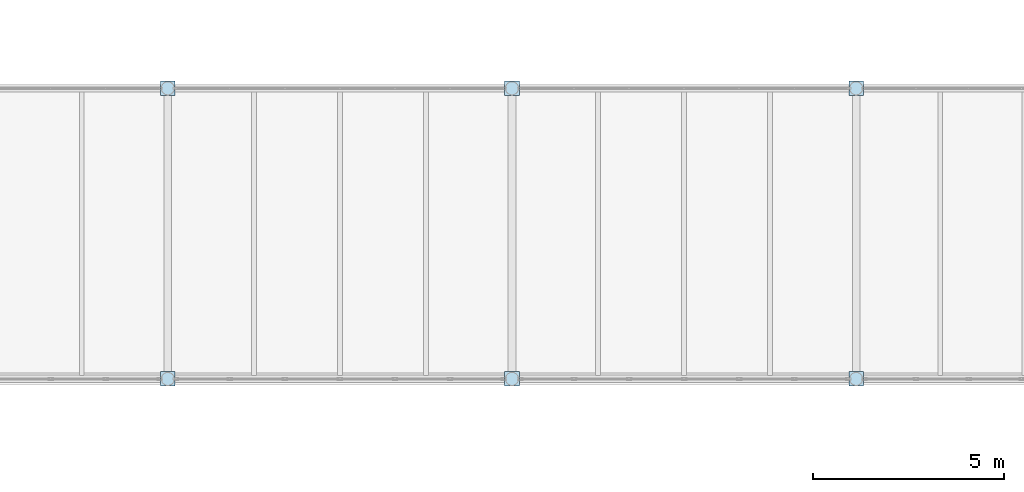
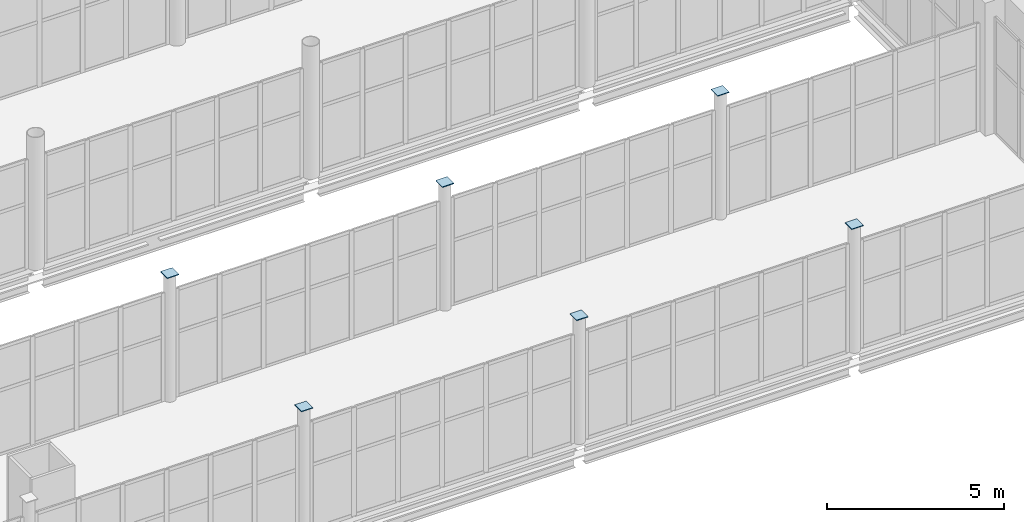
# One storey, part 148 of 172: 6 plates.
"""IFC4 building model written with IfcOpenShell, lengths in metres."""

from ifc_helpers import new_model, si_unit, direction, frame, origin, origin_2d, place, context, subcontext, project, spatial, rectangle, extrude, material, layer, layer_set, type_object, element, save


model = new_model("IFC4")

# Units and contexts
model_context = context("Model", 3, precision=1e-05, world=origin(), true_north=direction((0.0, 1.0)))
body_context = subcontext(model_context, "Body", "Model", "MODEL_VIEW")
ifc_project = project(units=[si_unit("LENGTHUNIT", "METRE"), si_unit("AREAUNIT", "SQUARE_METRE"), si_unit("VOLUMEUNIT", "CUBIC_METRE"), si_unit("PLANEANGLEUNIT", "RADIAN"), si_unit("MASSUNIT", "GRAM", prefix="KILO")], contexts=[model_context])

# Site, building, storey
site_placement = place(None, origin())
site = spatial("IfcSite", under=ifc_project, at=site_placement, CompositionType="ELEMENT")
building_placement = place(site_placement, origin())
building = spatial("IfcBuilding", under=site, at=building_placement, Name="Shengluoqiao Park Theatre", CompositionType="ELEMENT")
storey_placement = place(building_placement, frame((0.0, 0.0, 5.39990234375)))
storey = spatial("IfcBuildingStorey", under=building, at=storey_placement, Name="L01", CompositionType="ELEMENT", Elevation=5.39990234375)

# Plates
ifc_material = material(Name="Steel Q390", Category="steel")
ifc_layer = layer(ifc_material, 0.02392578125, Name="Steel Q390")
ifc_layer_set = layer_set([ifc_layer], Name="Steel Q390")
plate_type = type_object("IfcPlateType", Name="STR-PLT-EC-360", PredefinedType="SHEET", material=ifc_layer_set)
for number, where, z_axis, x_axis, name in (
    (1, (130.39990234375, 53.199951171875, 4.3291015625), (0.0, 0.0, 1.0), (1.0, 0.0, 0.0), "Hollow Column Top Cap Plate 00024"),
    (2, (130.39990234375, 60.800048828125, 4.3291015625), (0.0, 0.0, 1.0), (1.0, 0.0, 0.0), "Hollow Column Top Cap Plate 00025"),
    (3, (139.39990234375, 53.199951171875, 4.3291015625), (0.0, 0.0, 1.0), (1.0, 0.0, 0.0), "Hollow Column Top Cap Plate 00028"),
    (4, (139.39990234375, 60.800048828125, 4.3291015625), (0.0, 0.0, 1.0), (1.0, 0.0, 0.0), "Hollow Column Top Cap Plate 00029"),
    (5, (148.39990234375, 53.199951171875, 4.3291015625), (0.0, 0.0, 1.0), (1.0, 0.0, 0.0), "Hollow Column Top Cap Plate 00032"),
    (6, (148.39990234375, 60.800048828125, 4.3291015625), (0.0, 0.0, 1.0), (1.0, 0.0, 0.0), "Hollow Column Top Cap Plate 00033"),
):
    element("IfcPlate", number, at=place(storey_placement, frame(where, z_axis=z_axis, x_axis=x_axis)), inside=storey, type_object=plate_type, Name=name, PredefinedType="SHEET", context=body_context, shape_type="SweptSolid", body=[
        extrude(rectangle(XDim=0.3798828125, YDim=0.3798828125, at=origin_2d()), origin(), (0.0, 0.0, 1.0), 0.02392578125),
    ])

save(model, "model.ifc")
